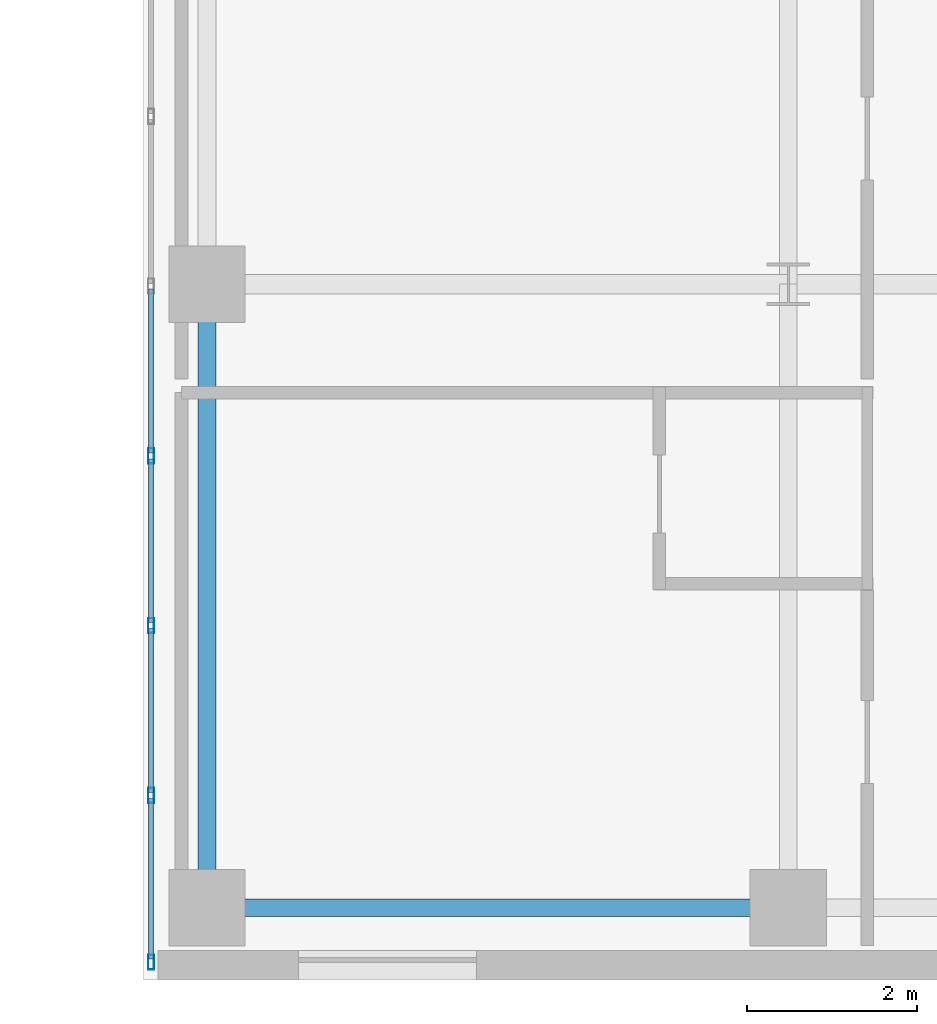
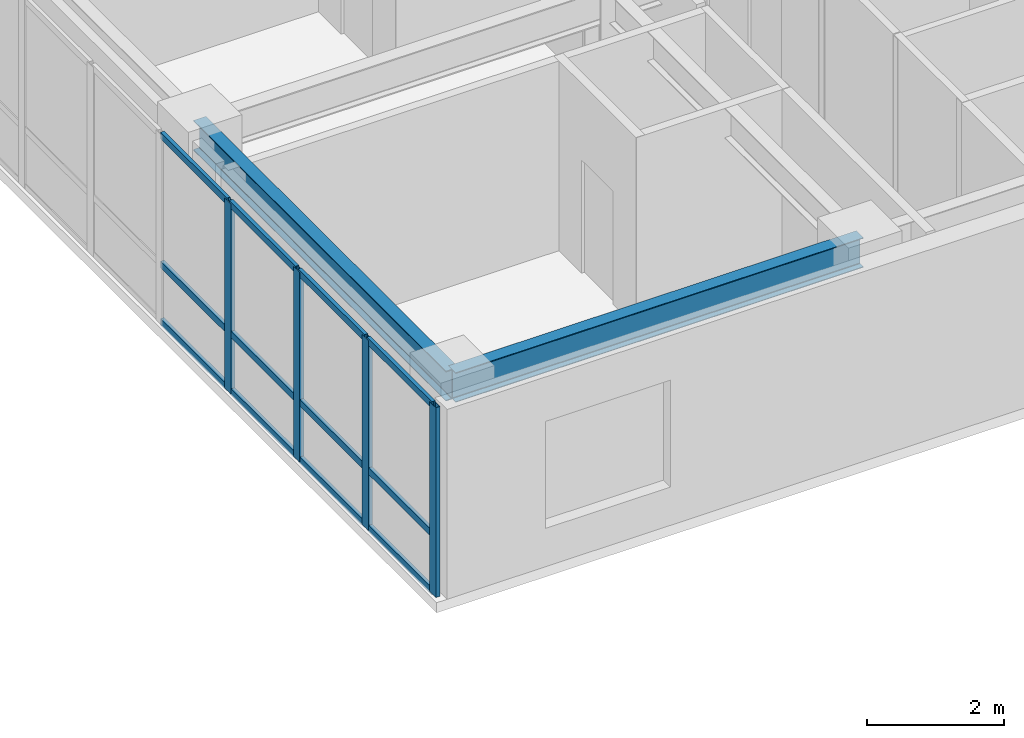
# One storey, part 5 of 17: 16 members, 2 beams, 1 element without a shape of its own.
"""IFC4 building model written with IfcOpenShell, lengths in metres."""

from ifc_helpers import new_model, si_unit, direction, frame, origin, origin_2d, place, context, subcontext, project, spatial, hollow_rectangle, i_section, extrude, source, transform, mapped, material, layer, layer_set, material_profile, profile_set, type_object, type_shapes, element, aggregate, save


model = new_model("IFC4")

# Units and contexts
model_context = context("Model", 3, precision=1e-05, world=origin(), true_north=direction((0.0, 1.0)))
body_context = subcontext(model_context, "Body", "Model", "MODEL_VIEW")
ifc_project = project(units=[si_unit("LENGTHUNIT", "METRE"), si_unit("AREAUNIT", "SQUARE_METRE"), si_unit("VOLUMEUNIT", "CUBIC_METRE"), si_unit("PLANEANGLEUNIT", "RADIAN"), si_unit("MASSUNIT", "GRAM", prefix="KILO")], contexts=[model_context])

# Site, building, storey
site_placement = place(None, origin())
site = spatial("IfcSite", under=ifc_project, at=site_placement, CompositionType="ELEMENT")
building_placement = place(site_placement, origin())
building = spatial("IfcBuilding", under=site, at=building_placement, Name="Tolvann Quenvar Hotel", CompositionType="ELEMENT")
storey_placement = place(building_placement, frame((0.0, 0.0, 108.0)))
storey = spatial("IfcBuildingStorey", under=building, at=storey_placement, Name="L27", CompositionType="ELEMENT", Elevation=108.0)

# Beams
ifc_material_1 = material(Name="Steel Grade 350", Category="steel")
ifc_material_profile_1 = material_profile(ifc_material_1, i_section(OverallWidth=0.208984375, OverallDepth=0.528076171875, WebThickness=0.009521484375, FlangeThickness=0.01318359375, FilletRadius=0.013916015625, at=origin_2d()), Name="530UB82")
ifc_profile_set_1 = profile_set([ifc_material_profile_1], Name="Steel Grade 350")
beam_type_1 = type_object("IfcBeamType", Name="BM_SPAND_530UB82", PredefinedType="SPANDREL", material=ifc_profile_set_1)
shared_shape_1 = source(origin(), body_context, "Body", "SweptSolid", [
    extrude(i_section(OverallWidth=0.208984375, OverallDepth=0.528076171875, WebThickness=0.009521484375, FlangeThickness=0.01318359375, FilletRadius=0.013916015625, at=origin_2d()), origin(), (0.0, 0.0, 1.0), 6.85009765625),
])
type_shapes(beam_type_1, [shared_shape_1])
beam_1_placement = place(storey_placement, frame((34.949951171875, 0.85009765625, 3.10595703125), z_axis=(1.0, 0.0, 0.0), x_axis=(0.0, 1.0, 0.0)))
element("IfcBeam", 1, at=beam_1_placement, inside=storey, type_object=beam_type_1, Name="BM-L27-EW-2-F2-H2", PredefinedType="SPANDREL", context=body_context, shape_type="MappedRepresentation", body=[
    mapped(shared_shape_1, transform((0.0, 0.0, 0.0), x_axis=(1.0, 0.0, 0.0), y_axis=(0.0, 1.0, 0.0), z_axis=(0.0, 0.0, 1.0), scale=1.0)),
])
ifc_material_profile_2 = material_profile(ifc_material_1, i_section(OverallWidth=0.208984375, OverallDepth=0.532958984375, WebThickness=0.01025390625, FlangeThickness=0.015625, FilletRadius=0.013916015625, at=origin_2d()), Name="530UB92")
ifc_profile_set_2 = profile_set([ifc_material_profile_2], Name="Steel Grade 350")
beam_type_2 = type_object("IfcBeamType", Name="BM_GIRD_530UB92", PredefinedType="BEAM", material=ifc_profile_set_2)
shared_shape_2 = source(origin(), body_context, "Body", "SweptSolid", [
    extrude(i_section(OverallWidth=0.208984375, OverallDepth=0.532958984375, WebThickness=0.01025390625, FlangeThickness=0.015625, FilletRadius=0.013916015625, at=origin_2d()), origin(), (0.0, 0.0, 1.0), 7.349853515625),
])
type_shapes(beam_type_2, [shared_shape_2])
beam_2_placement = place(storey_placement, frame((34.949951171875, 0.85009765625, 3.103515625), z_axis=(0.0, 1.0, 0.0), x_axis=(-1.0, 0.0, 0.0)))
element("IfcBeam", 2, at=beam_2_placement, inside=storey, type_object=beam_type_2, Name="BM-L27-NS-F2-F3", PredefinedType="BEAM", context=body_context, shape_type="MappedRepresentation", body=[
    mapped(shared_shape_2, transform((0.0, 0.0, 0.0), x_axis=(1.0, 0.0, 0.0), y_axis=(0.0, 1.0, 0.0), z_axis=(0.0, 0.0, 1.0), scale=1.0)),
])

# Curtain wall, members
ifc_material_2 = material(Name="Thermally broken anodised architectural aluminium 6063-T6 and laminated low-E glass", Category="aluminium")
ifc_layer = layer(ifc_material_2, 0.179931640625)
ifc_layer_set = layer_set([ifc_layer], Name="Thermally broken anodised architectural aluminium 6063-T6 and laminated low-E glass")
curtain_wall_type = type_object("IfcCurtainWallType", Name="CW_SYS_SLOT_03", PredefinedType="USERDEFINED", material=ifc_layer_set)
curtain_wall_placement = place(storey_placement, origin())
curtain_wall = element("IfcCurtainWall", 3, at=curtain_wall_placement, inside=storey, type_object=curtain_wall_type, Name="Curtain Wall CW-SLOT-03 (CWR-L27-E07)", ObjectType="UNITISED CURTAIN WALL", PredefinedType="USERDEFINED")
ifc_material_3 = material(Name="Anodised architectural aluminium 6063-T6 framing", Category="aluminium")
ifc_material_profile_3 = material_profile(ifc_material_3, hollow_rectangle(XDim=0.070068359375, YDim=0.179931640625, WallThickness=0.00390625, at=origin_2d()), Name="180x70x4RHS")
ifc_profile_set_3 = profile_set([ifc_material_profile_3], Name="Anodised architectural aluminium 6063-T6 framing")
member_type_1 = type_object("IfcMemberType", Name="CW_MULL_180x70", PredefinedType="MULLION", material=ifc_profile_set_3)
shared_shape_3 = source(origin(), body_context, "Body", "SweptSolid", [
    extrude(hollow_rectangle(XDim=0.070068359375, YDim=0.179931640625, WallThickness=0.00390625, at=origin_2d()), origin(), (0.0, 0.0, 1.0), 3.3701171875),
])
type_shapes(member_type_1, [shared_shape_3])
member_1_placement = place(storey_placement, frame((34.2900390625, 6.175048828125, 0.0), z_axis=(0.0, 0.0, 1.0), x_axis=(1.0, 0.0, 0.0)))
member_1 = element("IfcMember", 4, at=member_1_placement, type_object=member_type_1, Name="CW-SLOT-03 mullion 6", PredefinedType="MULLION", context=body_context, shape_type="MappedRepresentation", body=[
    mapped(shared_shape_3, transform((0.0, 0.0, 0.0), x_axis=(1.0, 0.0, 0.0), y_axis=(0.0, 1.0, 0.0), z_axis=(0.0, 0.0, 1.0), scale=1.0)),
])
member_2_placement = place(storey_placement, frame((34.2900390625, 4.175048828125, 0.0), z_axis=(0.0, 0.0, 1.0), x_axis=(1.0, 0.0, 0.0)))
member_2 = element("IfcMember", 5, at=member_2_placement, type_object=member_type_1, Name="CW-SLOT-03 mullion 7", PredefinedType="MULLION", context=body_context, shape_type="MappedRepresentation", body=[
    mapped(shared_shape_3, transform((0.0, 0.0, 0.0), x_axis=(1.0, 0.0, 0.0), y_axis=(0.0, 1.0, 0.0), z_axis=(0.0, 0.0, 1.0), scale=1.0)),
])
member_3_placement = place(storey_placement, frame((34.2900390625, 2.175048828125, 0.0), z_axis=(0.0, 0.0, 1.0), x_axis=(1.0, 0.0, 0.0)))
member_3 = element("IfcMember", 6, at=member_3_placement, type_object=member_type_1, Name="CW-SLOT-03 mullion 8", PredefinedType="MULLION", context=body_context, shape_type="MappedRepresentation", body=[
    mapped(shared_shape_3, transform((0.0, 0.0, 0.0), x_axis=(1.0, 0.0, 0.0), y_axis=(0.0, 1.0, 0.0), z_axis=(0.0, 0.0, 1.0), scale=1.0)),
])
member_4_placement = place(storey_placement, frame((34.2900390625, 0.2099609375, 0.0), z_axis=(0.0, 0.0, 1.0), x_axis=(1.0, 0.0, 0.0)))
member_4 = element("IfcMember", 7, at=member_4_placement, type_object=member_type_1, Name="CW-SLOT-03 mullion 9", PredefinedType="MULLION", context=body_context, shape_type="MappedRepresentation", body=[
    mapped(shared_shape_3, transform((0.0, 0.0, 0.0), x_axis=(1.0, 0.0, 0.0), y_axis=(0.0, 1.0, 0.0), z_axis=(0.0, 0.0, 1.0), scale=1.0)),
])
ifc_material_profile_4 = material_profile(ifc_material_3, hollow_rectangle(XDim=0.06005859375, YDim=0.1201171875, WallThickness=0.00341796875, at=origin_2d()), Name="120x60x3.5RHS")
ifc_profile_set_4 = profile_set([ifc_material_profile_4], Name="Anodised architectural aluminium 6063-T6 framing")
member_type_2 = type_object("IfcMemberType", Name="CW_TRAN_120x60", PredefinedType="USERDEFINED", material=ifc_profile_set_4)
shared_shape_4 = source(origin(), body_context, "Body", "SweptSolid", [
    extrude(hollow_rectangle(XDim=0.06005859375, YDim=0.1201171875, WallThickness=0.00341796875, at=origin_2d()), origin(), (0.0, 0.0, 1.0), 1.894775390625),
])
member_5_placement = place(storey_placement, frame((34.2900390625, 2.139892578125, 0.030029296875), z_axis=(0.0, -1.0, 0.0), x_axis=(1.0, 0.0, 0.0)))
member_5 = element("IfcMember", 8, at=member_5_placement, type_object=member_type_2, Name="CW-SLOT-03 transom 8.1", ObjectType="TRANSOM", PredefinedType="USERDEFINED", context=body_context, shape_type="MappedRepresentation", body=[
    mapped(shared_shape_4, transform((0.0, 0.0, 0.0), x_axis=(1.0, 0.0, 0.0), y_axis=(0.0, 1.0, 0.0), z_axis=(0.0, 0.0, 1.0), scale=1.0)),
])
member_6_placement = place(storey_placement, frame((34.2900390625, 2.139892578125, 1.050048828125), z_axis=(0.0, -1.0, 0.0), x_axis=(1.0, 0.0, 0.0)))
member_6 = element("IfcMember", 9, at=member_6_placement, type_object=member_type_2, Name="CW-SLOT-03 transom 8.2", ObjectType="TRANSOM", PredefinedType="USERDEFINED", context=body_context, shape_type="MappedRepresentation", body=[
    mapped(shared_shape_4, transform((0.0, 0.0, 0.0), x_axis=(1.0, 0.0, 0.0), y_axis=(0.0, 1.0, 0.0), z_axis=(0.0, 0.0, 1.0), scale=1.0)),
])
member_7_placement = place(storey_placement, frame((34.2900390625, 2.139892578125, 3.340087890625), z_axis=(0.0, -1.0, 0.0), x_axis=(1.0, 0.0, 0.0)))
member_7 = element("IfcMember", 10, at=member_7_placement, type_object=member_type_2, Name="CW-SLOT-03 transom 8.3", ObjectType="TRANSOM", PredefinedType="USERDEFINED", context=body_context, shape_type="MappedRepresentation", body=[
    mapped(shared_shape_4, transform((0.0, 0.0, 0.0), x_axis=(1.0, 0.0, 0.0), y_axis=(0.0, 1.0, 0.0), z_axis=(0.0, 0.0, 1.0), scale=1.0)),
])
shared_shape_5 = source(origin(), body_context, "Body", "SweptSolid", [
    extrude(hollow_rectangle(XDim=0.06005859375, YDim=0.1201171875, WallThickness=0.00341796875, at=origin_2d()), origin(), (0.0, 0.0, 1.0), 1.929931640625),
])
type_shapes(member_type_2, [shared_shape_4, shared_shape_5])
member_8_placement = place(storey_placement, frame((34.2900390625, 8.139892578125, 0.030029296875), z_axis=(0.0, -1.0, 0.0), x_axis=(1.0, 0.0, 0.0)))
member_8 = element("IfcMember", 11, at=member_8_placement, type_object=member_type_2, Name="CW-SLOT-03 transom 5.1", ObjectType="TRANSOM", PredefinedType="USERDEFINED", context=body_context, shape_type="MappedRepresentation", body=[
    mapped(shared_shape_5, transform((0.0, 0.0, 0.0), x_axis=(1.0, 0.0, 0.0), y_axis=(0.0, 1.0, 0.0), z_axis=(0.0, 0.0, 1.0), scale=1.0)),
])
member_9_placement = place(storey_placement, frame((34.2900390625, 8.139892578125, 1.050048828125), z_axis=(0.0, -1.0, 0.0), x_axis=(1.0, 0.0, 0.0)))
member_9 = element("IfcMember", 12, at=member_9_placement, type_object=member_type_2, Name="CW-SLOT-03 transom 5.2", ObjectType="TRANSOM", PredefinedType="USERDEFINED", context=body_context, shape_type="MappedRepresentation", body=[
    mapped(shared_shape_5, transform((0.0, 0.0, 0.0), x_axis=(1.0, 0.0, 0.0), y_axis=(0.0, 1.0, 0.0), z_axis=(0.0, 0.0, 1.0), scale=1.0)),
])
member_10_placement = place(storey_placement, frame((34.2900390625, 8.139892578125, 3.340087890625), z_axis=(0.0, -1.0, 0.0), x_axis=(1.0, 0.0, 0.0)))
member_10 = element("IfcMember", 13, at=member_10_placement, type_object=member_type_2, Name="CW-SLOT-03 transom 5.3", ObjectType="TRANSOM", PredefinedType="USERDEFINED", context=body_context, shape_type="MappedRepresentation", body=[
    mapped(shared_shape_5, transform((0.0, 0.0, 0.0), x_axis=(1.0, 0.0, 0.0), y_axis=(0.0, 1.0, 0.0), z_axis=(0.0, 0.0, 1.0), scale=1.0)),
])
member_11_placement = place(storey_placement, frame((34.2900390625, 6.139892578125, 0.030029296875), z_axis=(0.0, -1.0, 0.0), x_axis=(1.0, 0.0, 0.0)))
member_11 = element("IfcMember", 14, at=member_11_placement, type_object=member_type_2, Name="CW-SLOT-03 transom 6.1", ObjectType="TRANSOM", PredefinedType="USERDEFINED", context=body_context, shape_type="MappedRepresentation", body=[
    mapped(shared_shape_5, transform((0.0, 0.0, 0.0), x_axis=(1.0, 0.0, 0.0), y_axis=(0.0, 1.0, 0.0), z_axis=(0.0, 0.0, 1.0), scale=1.0)),
])
member_12_placement = place(storey_placement, frame((34.2900390625, 6.139892578125, 1.050048828125), z_axis=(0.0, -1.0, 0.0), x_axis=(1.0, 0.0, 0.0)))
member_12 = element("IfcMember", 15, at=member_12_placement, type_object=member_type_2, Name="CW-SLOT-03 transom 6.2", ObjectType="TRANSOM", PredefinedType="USERDEFINED", context=body_context, shape_type="MappedRepresentation", body=[
    mapped(shared_shape_5, transform((0.0, 0.0, 0.0), x_axis=(1.0, 0.0, 0.0), y_axis=(0.0, 1.0, 0.0), z_axis=(0.0, 0.0, 1.0), scale=1.0)),
])
member_13_placement = place(storey_placement, frame((34.2900390625, 6.139892578125, 3.340087890625), z_axis=(0.0, -1.0, 0.0), x_axis=(1.0, 0.0, 0.0)))
member_13 = element("IfcMember", 16, at=member_13_placement, type_object=member_type_2, Name="CW-SLOT-03 transom 6.3", ObjectType="TRANSOM", PredefinedType="USERDEFINED", context=body_context, shape_type="MappedRepresentation", body=[
    mapped(shared_shape_5, transform((0.0, 0.0, 0.0), x_axis=(1.0, 0.0, 0.0), y_axis=(0.0, 1.0, 0.0), z_axis=(0.0, 0.0, 1.0), scale=1.0)),
])
member_14_placement = place(storey_placement, frame((34.2900390625, 4.139892578125, 0.030029296875), z_axis=(0.0, -1.0, 0.0), x_axis=(1.0, 0.0, 0.0)))
member_14 = element("IfcMember", 17, at=member_14_placement, type_object=member_type_2, Name="CW-SLOT-03 transom 7.1", ObjectType="TRANSOM", PredefinedType="USERDEFINED", context=body_context, shape_type="MappedRepresentation", body=[
    mapped(shared_shape_5, transform((0.0, 0.0, 0.0), x_axis=(1.0, 0.0, 0.0), y_axis=(0.0, 1.0, 0.0), z_axis=(0.0, 0.0, 1.0), scale=1.0)),
])
member_15_placement = place(storey_placement, frame((34.2900390625, 4.139892578125, 1.050048828125), z_axis=(0.0, -1.0, 0.0), x_axis=(1.0, 0.0, 0.0)))
member_15 = element("IfcMember", 18, at=member_15_placement, type_object=member_type_2, Name="CW-SLOT-03 transom 7.2", ObjectType="TRANSOM", PredefinedType="USERDEFINED", context=body_context, shape_type="MappedRepresentation", body=[
    mapped(shared_shape_5, transform((0.0, 0.0, 0.0), x_axis=(1.0, 0.0, 0.0), y_axis=(0.0, 1.0, 0.0), z_axis=(0.0, 0.0, 1.0), scale=1.0)),
])
member_16_placement = place(storey_placement, frame((34.2900390625, 4.139892578125, 3.340087890625), z_axis=(0.0, -1.0, 0.0), x_axis=(1.0, 0.0, 0.0)))
member_16 = element("IfcMember", 19, at=member_16_placement, type_object=member_type_2, Name="CW-SLOT-03 transom 7.3", ObjectType="TRANSOM", PredefinedType="USERDEFINED", context=body_context, shape_type="MappedRepresentation", body=[
    mapped(shared_shape_5, transform((0.0, 0.0, 0.0), x_axis=(1.0, 0.0, 0.0), y_axis=(0.0, 1.0, 0.0), z_axis=(0.0, 0.0, 1.0), scale=1.0)),
])
aggregate(curtain_wall, [member_1, member_2, member_3, member_4, member_8, member_9, member_10, member_11, member_12, member_13, member_14, member_15, member_16, member_5, member_6, member_7])

save(model, "model.ifc")
